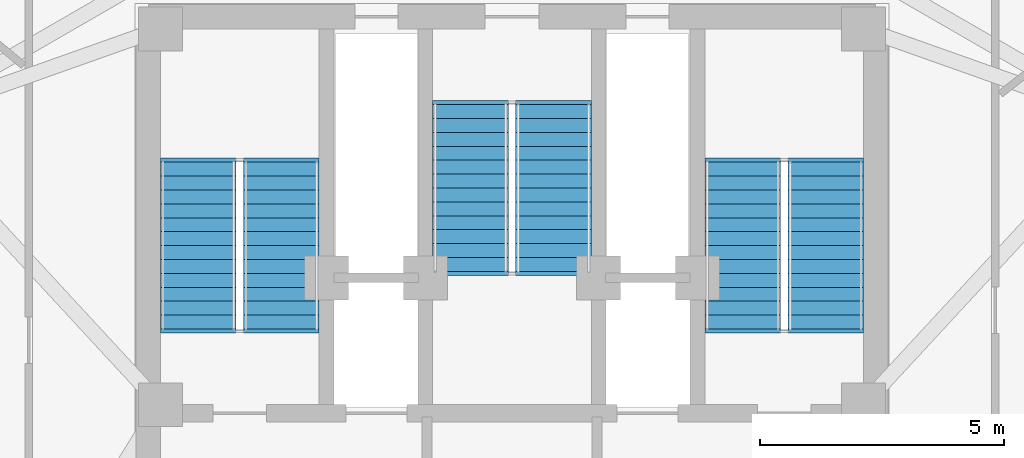
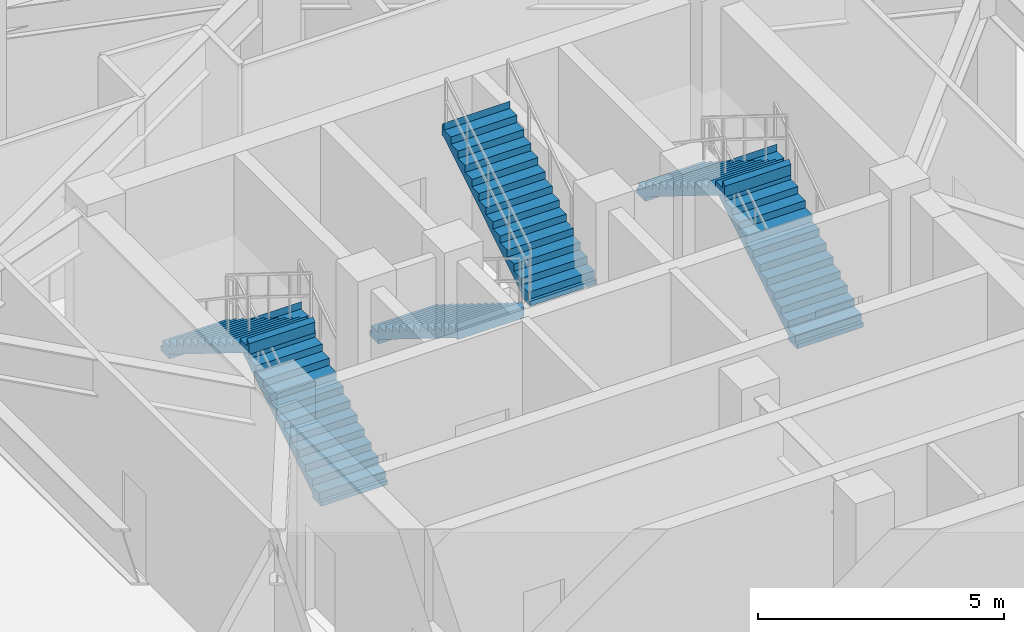
# One storey, part 12 of 15: 6 stair flights, 3 elements without a shape of their own.
"""IFC4 building model written with IfcOpenShell, lengths in metres."""

from ifc_helpers import new_model, si_unit, direction, frame, origin, place, context, subcontext, project, spatial, polyline, outline, extrude, material, type_object, element, aggregate, save


model = new_model("IFC4")

# Units and contexts
model_context = context("Model", 3, precision=1e-05, world=origin(), true_north=direction((0.0, 1.0)))
body_context = subcontext(model_context, "Body", "Model", "MODEL_VIEW")
ifc_project = project(units=[si_unit("LENGTHUNIT", "METRE"), si_unit("AREAUNIT", "SQUARE_METRE"), si_unit("VOLUMEUNIT", "CUBIC_METRE"), si_unit("PLANEANGLEUNIT", "RADIAN"), si_unit("MASSUNIT", "GRAM", prefix="KILO")], contexts=[model_context])

# Site, building, storey
site_placement = place(None, origin())
site = spatial("IfcSite", under=ifc_project, at=site_placement, CompositionType="ELEMENT")
building_placement = place(site_placement, origin())
building = spatial("IfcBuilding", under=site, at=building_placement, Name="Apsidion Concourse Tower", CompositionType="ELEMENT")
storey_placement = place(building_placement, frame((0.0, 0.0, 323.39990234375)))
storey = spatial("IfcBuildingStorey", under=building, at=storey_placement, Name="L76", CompositionType="ELEMENT", Elevation=323.39990234375)

# Stair, stair flights
ifc_material = material(Name="Precast concrete C40/50", Category="concrete")
stair_type = type_object("IfcStairType", Name="ST-DL-1550", PredefinedType="HALF_TURN_STAIR", material=ifc_material)
stair_1_placement = place(storey_placement, origin())
stair_1 = element("IfcStair", 1, at=stair_1_placement, inside=storey, type_object=stair_type, Name="L76 Protected Core Exit Stair ST1", PredefinedType="HALF_TURN_STAIR")
stair_flight_type = type_object("IfcStairFlightType", Name="SFL-RC-1550", PredefinedType="STRAIGHT", material=ifc_material)
stair_flight_1_placement = place(storey_placement, frame((-4.72509765625, 3.0, 0.0), z_axis=(0.0, 0.0, 1.0), x_axis=(0.0, 1.0, 0.0)))
stair_flight_1 = element("IfcStairFlight", 2, at=stair_flight_1_placement, type_object=stair_flight_type, Name="ST1 flight 1", NumberOfRisers=13, NumberOfTreads=12, PredefinedType="STRAIGHT", RiserHeight=0.176923077, TreadLength=0.285, context=body_context, shape_type="SweptSolid", body=[
    extrude(outline(polyline([(-0.080078125, -0.1123046875), (-0.080078125, 0.0), (0.0, 0.0), (0.0, 0.177001953125), (0.284912109375, 0.177001953125), (0.284912109375, 0.353759765625), (0.570068359375, 0.353759765625), (0.570068359375, 0.53076171875), (0.85498046875, 0.53076171875), (0.85498046875, 0.707763671875), (1.139892578125, 0.707763671875), (1.139892578125, 0.884521484375), (1.425048828125, 0.884521484375), (1.425048828125, 1.0615234375), (1.7099609375, 1.0615234375), (1.7099609375, 1.238525390625), (1.9951171875, 1.238525390625), (1.9951171875, 1.415283203125), (2.280029296875, 1.415283203125), (2.280029296875, 1.59228515625), (2.56494140625, 1.59228515625), (2.56494140625, 1.769287109375), (2.85009765625, 1.769287109375), (2.85009765625, 1.946044921875), (3.135009765625, 1.946044921875), (3.135009765625, 2.123046875), (3.419921875, 2.123046875), (3.419921875, 2.300048828125), (3.5, 2.21142578125), (3.5, 1.946533203125), (3.419921875, 1.946533203125), (0.2841796875, 0.0), (0.2841796875, -0.1123046875), (-0.080078125, -0.1123046875)])), frame((0.0, 0.77490234375, 0.0), z_axis=(0.0, -1.0, 0.0), x_axis=(1.0, 0.0, 0.0)), (0.0, 0.0, 1.0), 1.550048828125),
])
stair_flight_2_placement = place(storey_placement, frame((-6.425048828125, 6.419921875, 2.300048828125), z_axis=(0.0, 0.0, 1.0), x_axis=(0.0, -1.0, 0.0)))
stair_flight_2 = element("IfcStairFlight", 3, at=stair_flight_2_placement, type_object=stair_flight_type, Name="ST1 flight 2", NumberOfRisers=13, NumberOfTreads=12, PredefinedType="STRAIGHT", RiserHeight=0.176923077, TreadLength=0.285, context=body_context, shape_type="SweptSolid", body=[
    extrude(outline(polyline([(-0.080078125, -0.1123046875), (-0.080078125, 0.0), (0.0, 0.0), (0.0, 0.177001953125), (0.284912109375, 0.177001953125), (0.284912109375, 0.353759765625), (0.570068359375, 0.353759765625), (0.570068359375, 0.53076171875), (0.85498046875, 0.53076171875), (0.85498046875, 0.707763671875), (1.139892578125, 0.707763671875), (1.139892578125, 0.884521484375), (1.425048828125, 0.884521484375), (1.425048828125, 1.0615234375), (1.7099609375, 1.0615234375), (1.7099609375, 1.238525390625), (1.9951171875, 1.238525390625), (1.9951171875, 1.415283203125), (2.280029296875, 1.415283203125), (2.280029296875, 1.59228515625), (2.56494140625, 1.59228515625), (2.56494140625, 1.769287109375), (2.85009765625, 1.769287109375), (2.85009765625, 1.946044921875), (3.135009765625, 1.946044921875), (3.135009765625, 2.123046875), (3.419921875, 2.123046875), (3.419921875, 2.300048828125), (3.5, 2.21142578125), (3.5, 1.946533203125), (3.419921875, 1.946533203125), (0.2841796875, 0.0), (0.2841796875, -0.1123046875), (-0.080078125, -0.1123046875)])), frame((0.0, 0.77490234375, 0.0), z_axis=(0.0, -1.0, 0.0), x_axis=(1.0, 0.0, 0.0)), (0.0, 0.0, 1.0), 1.550048828125),
])
aggregate(stair_1, [stair_flight_1, stair_flight_2])

stair_2_placement = place(storey_placement, origin())
stair_2 = element("IfcStair", 4, at=stair_2_placement, inside=storey, type_object=stair_type, Name="L76 Protected Core Exit Stair ST2", PredefinedType="HALF_TURN_STAIR")
stair_flight_3_placement = place(storey_placement, frame((6.425048828125, 3.0, 0.0), z_axis=(0.0, 0.0, 1.0), x_axis=(0.0, 1.0, 0.0)))
stair_flight_3 = element("IfcStairFlight", 5, at=stair_flight_3_placement, type_object=stair_flight_type, Name="ST2 flight 1", NumberOfRisers=13, NumberOfTreads=12, PredefinedType="STRAIGHT", RiserHeight=0.176923077, TreadLength=0.285, context=body_context, shape_type="SweptSolid", body=[
    extrude(outline(polyline([(-0.080078125, -0.1123046875), (-0.080078125, 0.0), (0.0, 0.0), (0.0, 0.177001953125), (0.284912109375, 0.177001953125), (0.284912109375, 0.353759765625), (0.570068359375, 0.353759765625), (0.570068359375, 0.53076171875), (0.85498046875, 0.53076171875), (0.85498046875, 0.707763671875), (1.139892578125, 0.707763671875), (1.139892578125, 0.884521484375), (1.425048828125, 0.884521484375), (1.425048828125, 1.0615234375), (1.7099609375, 1.0615234375), (1.7099609375, 1.238525390625), (1.9951171875, 1.238525390625), (1.9951171875, 1.415283203125), (2.280029296875, 1.415283203125), (2.280029296875, 1.59228515625), (2.56494140625, 1.59228515625), (2.56494140625, 1.769287109375), (2.85009765625, 1.769287109375), (2.85009765625, 1.946044921875), (3.135009765625, 1.946044921875), (3.135009765625, 2.123046875), (3.419921875, 2.123046875), (3.419921875, 2.300048828125), (3.5, 2.21142578125), (3.5, 1.946533203125), (3.419921875, 1.946533203125), (0.2841796875, 0.0), (0.2841796875, -0.1123046875), (-0.080078125, -0.1123046875)])), frame((0.0, 0.77490234375, 0.0), z_axis=(0.0, -1.0, 0.0), x_axis=(1.0, 0.0, 0.0)), (0.0, 0.0, 1.0), 1.550048828125),
])
stair_flight_4_placement = place(storey_placement, frame((4.72509765625, 6.419921875, 2.300048828125), z_axis=(0.0, 0.0, 1.0), x_axis=(0.0, -1.0, 0.0)))
stair_flight_4 = element("IfcStairFlight", 6, at=stair_flight_4_placement, type_object=stair_flight_type, Name="ST2 flight 2", NumberOfRisers=13, NumberOfTreads=12, PredefinedType="STRAIGHT", RiserHeight=0.176923077, TreadLength=0.285, context=body_context, shape_type="SweptSolid", body=[
    extrude(outline(polyline([(-0.080078125, -0.1123046875), (-0.080078125, 0.0), (0.0, 0.0), (0.0, 0.177001953125), (0.284912109375, 0.177001953125), (0.284912109375, 0.353759765625), (0.570068359375, 0.353759765625), (0.570068359375, 0.53076171875), (0.85498046875, 0.53076171875), (0.85498046875, 0.707763671875), (1.139892578125, 0.707763671875), (1.139892578125, 0.884521484375), (1.425048828125, 0.884521484375), (1.425048828125, 1.0615234375), (1.7099609375, 1.0615234375), (1.7099609375, 1.238525390625), (1.9951171875, 1.238525390625), (1.9951171875, 1.415283203125), (2.280029296875, 1.415283203125), (2.280029296875, 1.59228515625), (2.56494140625, 1.59228515625), (2.56494140625, 1.769287109375), (2.85009765625, 1.769287109375), (2.85009765625, 1.946044921875), (3.135009765625, 1.946044921875), (3.135009765625, 2.123046875), (3.419921875, 2.123046875), (3.419921875, 2.300048828125), (3.5, 2.21142578125), (3.5, 1.946533203125), (3.419921875, 1.946533203125), (0.2841796875, 0.0), (0.2841796875, -0.1123046875), (-0.080078125, -0.1123046875)])), frame((0.0, 0.77490234375, 0.0), z_axis=(0.0, -1.0, 0.0), x_axis=(1.0, 0.0, 0.0)), (0.0, 0.0, 1.0), 1.550048828125),
])
aggregate(stair_2, [stair_flight_3, stair_flight_4])

stair_3_placement = place(storey_placement, origin())
stair_3 = element("IfcStair", 7, at=stair_3_placement, inside=storey, type_object=stair_type, Name="L76 Protected Core Exit Stair ST3", PredefinedType="HALF_TURN_STAIR")
stair_flight_5_placement = place(storey_placement, frame((-0.85009765625, 7.60009765625, 0.0), z_axis=(0.0, 0.0, 1.0), x_axis=(0.0, -1.0, 0.0)))
stair_flight_5 = element("IfcStairFlight", 8, at=stair_flight_5_placement, type_object=stair_flight_type, Name="ST3 flight 1", NumberOfRisers=13, NumberOfTreads=12, PredefinedType="STRAIGHT", RiserHeight=0.176923077, TreadLength=0.285, context=body_context, shape_type="SweptSolid", body=[
    extrude(outline(polyline([(-0.080078125, -0.1123046875), (-0.080078125, 0.0), (0.0, 0.0), (0.0, 0.177001953125), (0.284912109375, 0.177001953125), (0.284912109375, 0.353759765625), (0.570068359375, 0.353759765625), (0.570068359375, 0.53076171875), (0.85498046875, 0.53076171875), (0.85498046875, 0.707763671875), (1.139892578125, 0.707763671875), (1.139892578125, 0.884521484375), (1.425048828125, 0.884521484375), (1.425048828125, 1.0615234375), (1.7099609375, 1.0615234375), (1.7099609375, 1.238525390625), (1.9951171875, 1.238525390625), (1.9951171875, 1.415283203125), (2.280029296875, 1.415283203125), (2.280029296875, 1.59228515625), (2.56494140625, 1.59228515625), (2.56494140625, 1.769287109375), (2.85009765625, 1.769287109375), (2.85009765625, 1.946044921875), (3.135009765625, 1.946044921875), (3.135009765625, 2.123046875), (3.419921875, 2.123046875), (3.419921875, 2.300048828125), (3.5, 2.21142578125), (3.5, 1.946533203125), (3.419921875, 1.946533203125), (0.2841796875, 0.0), (0.2841796875, -0.1123046875), (-0.080078125, -0.1123046875)])), frame((0.0, 0.77490234375, 0.0), z_axis=(0.0, -1.0, 0.0), x_axis=(1.0, 0.0, 0.0)), (0.0, 0.0, 1.0), 1.550048828125),
])
stair_flight_6_placement = place(storey_placement, frame((0.85009765625, 4.179931640625, 2.300048828125), z_axis=(0.0, 0.0, 1.0), x_axis=(0.0, 1.0, 0.0)))
stair_flight_6 = element("IfcStairFlight", 9, at=stair_flight_6_placement, type_object=stair_flight_type, Name="ST3 flight 2", NumberOfRisers=13, NumberOfTreads=12, PredefinedType="STRAIGHT", RiserHeight=0.176923077, TreadLength=0.285, context=body_context, shape_type="SweptSolid", body=[
    extrude(outline(polyline([(-0.080078125, -0.1123046875), (-0.080078125, 0.0), (0.0, 0.0), (0.0, 0.177001953125), (0.284912109375, 0.177001953125), (0.284912109375, 0.353759765625), (0.570068359375, 0.353759765625), (0.570068359375, 0.53076171875), (0.85498046875, 0.53076171875), (0.85498046875, 0.707763671875), (1.139892578125, 0.707763671875), (1.139892578125, 0.884521484375), (1.425048828125, 0.884521484375), (1.425048828125, 1.0615234375), (1.7099609375, 1.0615234375), (1.7099609375, 1.238525390625), (1.9951171875, 1.238525390625), (1.9951171875, 1.415283203125), (2.280029296875, 1.415283203125), (2.280029296875, 1.59228515625), (2.56494140625, 1.59228515625), (2.56494140625, 1.769287109375), (2.85009765625, 1.769287109375), (2.85009765625, 1.946044921875), (3.135009765625, 1.946044921875), (3.135009765625, 2.123046875), (3.419921875, 2.123046875), (3.419921875, 2.300048828125), (3.5, 2.21142578125), (3.5, 1.946533203125), (3.419921875, 1.946533203125), (0.2841796875, 0.0), (0.2841796875, -0.1123046875), (-0.080078125, -0.1123046875)])), frame((0.0, 0.77490234375, 0.0), z_axis=(0.0, -1.0, 0.0), x_axis=(1.0, 0.0, 0.0)), (0.0, 0.0, 1.0), 1.550048828125),
])
aggregate(stair_3, [stair_flight_5, stair_flight_6])

save(model, "model.ifc")
